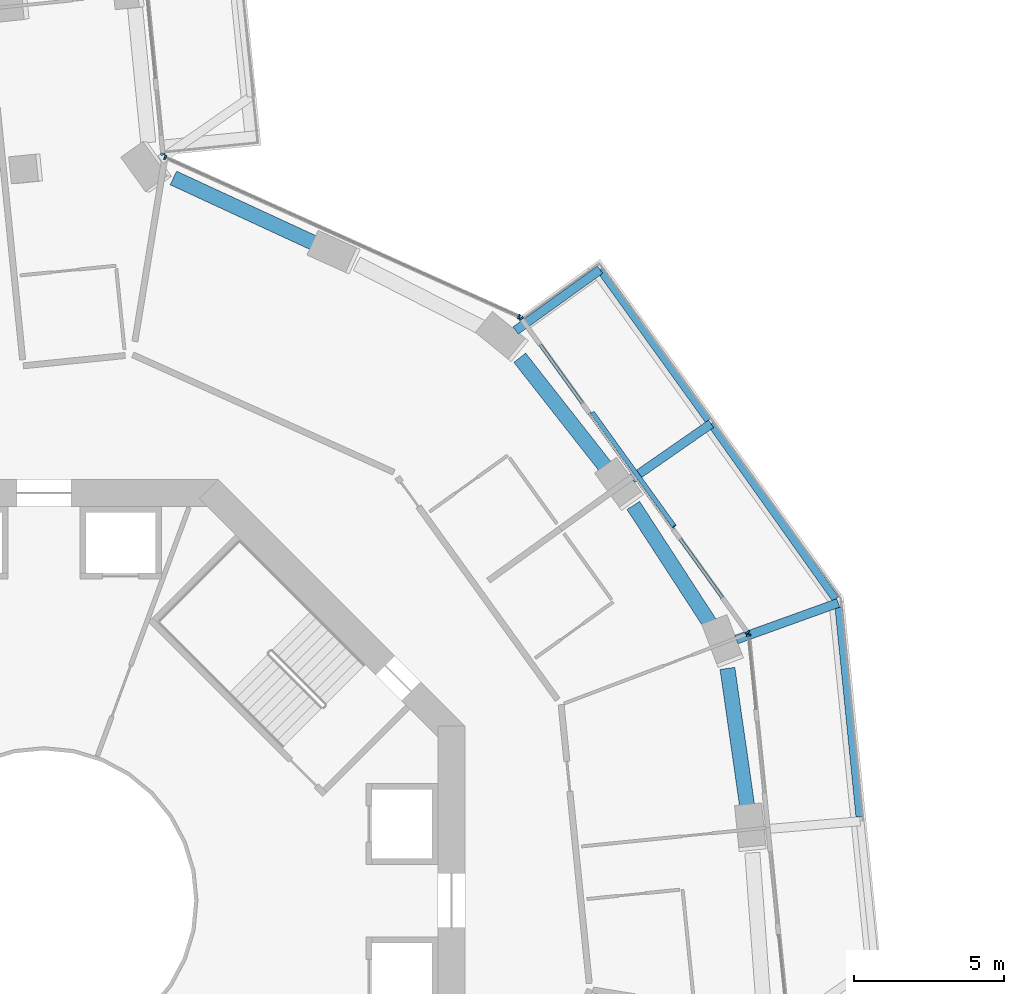
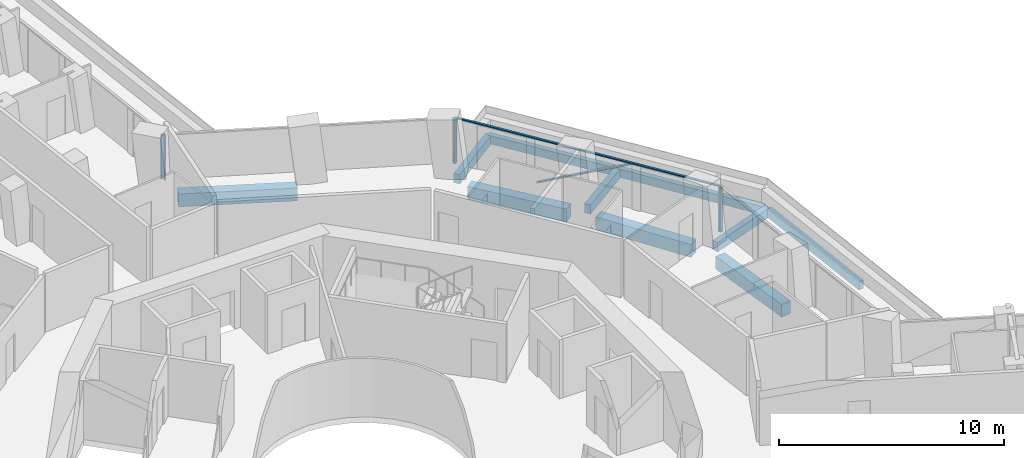
# One storey, part 9 of 26: 10 beams, 8 members, 4 elements without a shape of their own.
"""IFC4 building model written with IfcOpenShell, lengths in metres."""

from ifc_helpers import new_model, si_unit, direction, frame, origin, origin_2d, place, context, subcontext, project, spatial, rectangle, extrude, material, layer, layer_set, material_profile, profile_set, type_object, element, aggregate, save


model = new_model("IFC4")

# Units and contexts
model_context = context("Model", 3, precision=1e-05, world=origin(), true_north=direction((0.0, 1.0)))
body_context = subcontext(model_context, "Body", "Model", "MODEL_VIEW")
ifc_project = project(units=[si_unit("LENGTHUNIT", "METRE"), si_unit("AREAUNIT", "SQUARE_METRE"), si_unit("VOLUMEUNIT", "CUBIC_METRE"), si_unit("PLANEANGLEUNIT", "RADIAN"), si_unit("MASSUNIT", "GRAM", prefix="KILO")], contexts=[model_context])

# Site, building, storey
site_placement = place(None, origin())
site = spatial("IfcSite", under=ifc_project, at=site_placement, CompositionType="ELEMENT")
building_placement = place(site_placement, origin())
building = spatial("IfcBuilding", under=site, at=building_placement, Name="Verdalira Terraces Hotel", CompositionType="ELEMENT")
storey_placement = place(building_placement, frame((0.0, 0.0, 56.5)))
storey = spatial("IfcBuildingStorey", under=building, at=storey_placement, Name="L12", CompositionType="ELEMENT", Elevation=56.5)

# Beams
ifc_material_1 = material(Name="Concrete C40", Category="concrete")
ifc_material_profile_1 = material_profile(ifc_material_1, rectangle(XDim=0.300049, YDim=0.5, at=origin_2d()), Name="RC 300X500")
ifc_profile_set_1 = profile_set([ifc_material_profile_1], Name="Concrete C40")
beam_type_1 = type_object("IfcBeamType", Name="Balcony cantilever beam RC 300X500 C40", PredefinedType="BEAM", material=ifc_profile_set_1)
beam_1_placement = place(storey_placement, frame((23.019043, 8.679199, -0.560059), z_axis=(0.940860594, 0.338793953, 0.0), x_axis=(-0.338793953, 0.940860594, 0.0)))
element("IfcBeam", 1, at=beam_1_placement, inside=storey, type_object=beam_type_1, Name="Balcony cantilever beam R39-3", PredefinedType="BEAM", context=body_context, shape_type="SweptSolid", body=[
    extrude(rectangle(XDim=0.300049, YDim=0.5, at=origin_2d()), origin(), (0.0, 0.0, 1.0), 3.598145),
])
beam_2_placement = place(storey_placement, frame((19.547363, 14.024658, -0.560059), z_axis=(0.821108811, 0.570771689, 0.0), x_axis=(-0.570771689, 0.821108811, 0.0)))
element("IfcBeam", 2, at=beam_2_placement, inside=storey, type_object=beam_type_1, Name="Balcony cantilever beam R39-4", PredefinedType="BEAM", context=body_context, shape_type="SweptSolid", body=[
    extrude(rectangle(XDim=0.300049, YDim=0.5, at=origin_2d()), origin(), (0.0, 0.0, 1.0), 3.200684),
])
beam_3_placement = place(storey_placement, frame((15.681396, 18.953369, -0.560059), z_axis=(0.811484779, 0.584373557, 0.0), x_axis=(-0.584373557, 0.811484779, 0.0)))
element("IfcBeam", 3, at=beam_3_placement, inside=storey, type_object=beam_type_1, Name="Balcony cantilever beam R39-5", PredefinedType="BEAM", context=body_context, shape_type="SweptSolid", body=[
    extrude(rectangle(XDim=0.300049, YDim=0.5, at=origin_2d()), origin(), (0.0, 0.0, 1.0), 3.457031),
])
ifc_material_2 = material(Name="Concrete C40", Category="concrete")
ifc_material_profile_2 = material_profile(ifc_material_2, rectangle(XDim=0.25, YDim=0.449951, at=origin_2d()), Name="RC 250X450")
ifc_profile_set_2 = profile_set([ifc_material_profile_2], Name="Concrete C40")
beam_type_2 = type_object("IfcBeamType", Name="Balcony edge beam RC 250X450 C40", PredefinedType="BEAM", material=ifc_profile_set_2)
beam_4_placement = place(storey_placement, frame((27.115479, 2.789307, -0.534912), z_axis=(-0.099548678, 0.995032693, 0.0), x_axis=(-0.995032693, -0.099548678, 0.0)))
element("IfcBeam", 4, at=beam_4_placement, inside=storey, type_object=beam_type_2, Name="Balcony edge beam R39-2", PredefinedType="BEAM", context=body_context, shape_type="SweptSolid", body=[
    extrude(rectangle(XDim=0.25, YDim=0.449951, at=origin_2d()), origin(), (0.0, 0.0, 1.0), 6.989502),
])
beam_5_placement = place(storey_placement, frame((26.314209, 10.024902, -0.534912), z_axis=(-0.579084067, 0.815267835, 0.0), x_axis=(-0.815267835, -0.579084067, 0.0)))
element("IfcBeam", 5, at=beam_5_placement, inside=storey, type_object=beam_type_2, Name="Balcony edge beam R39-3", PredefinedType="BEAM", context=body_context, shape_type="SweptSolid", body=[
    extrude(rectangle(XDim=0.25, YDim=0.449951, at=origin_2d()), origin(), (0.0, 0.0, 1.0), 7.146973),
])
beam_6_placement = place(storey_placement, frame((22.087891, 15.973145, -0.534912), z_axis=(-0.584381958, 0.811478729, 0.0), x_axis=(-0.811478729, -0.584381958, 0.0)))
element("IfcBeam", 6, at=beam_6_placement, inside=storey, type_object=beam_type_2, Name="Balcony edge beam R39-4", PredefinedType="BEAM", context=body_context, shape_type="SweptSolid", body=[
    extrude(rectangle(XDim=0.25, YDim=0.449951, at=origin_2d()), origin(), (0.0, 0.0, 1.0), 6.162109),
])

# Curtain wall, member
ifc_material_3 = material(Name="Clear glass", Category="glass")
ifc_layer_1 = layer(ifc_material_3, 0.14990234375)
ifc_layer_set_1 = layer_set([ifc_layer_1], Name="CW1 curtain wall")
curtain_wall_type_1 = type_object("IfcCurtainWallType", Name="CW1 curtain wall", PredefinedType="NOTDEFINED", material=ifc_layer_set_1)
curtain_wall_1_placement = place(storey_placement, origin())
curtain_wall_1 = element("IfcCurtainWall", 7, at=curtain_wall_1_placement, inside=storey, type_object=curtain_wall_type_1, Name="CW1 curtain wall L12 edge 39", PredefinedType="NOTDEFINED")
ifc_material_4 = material(Name="Terracotta frame", Category="masonry")
ifc_material_profile_3 = material_profile(ifc_material_4, rectangle(XDim=0.060059, YDim=0.149902, at=origin_2d()), Name="MU 60x150")
ifc_profile_set_3 = profile_set([ifc_material_profile_3], Name="Terracotta frame")
member_type_1 = type_object("IfcMemberType", Name="CW1 mullion 60x150", PredefinedType="MULLION", material=ifc_profile_set_3)
member_1_placement = place(storey_placement, frame((23.416016, 8.824463, 0.0), z_axis=(0.0, 0.0, 1.0), x_axis=(-0.100361715, 0.994951017, 0.0)))
member_1 = element("IfcMember", 8, at=member_1_placement, type_object=member_type_1, Name="CW1 mullion", PredefinedType="MULLION", context=body_context, shape_type="SweptSolid", body=[
    extrude(rectangle(XDim=0.060059, YDim=0.149902, at=origin_2d()), origin(), (0.0, 0.0, 1.0), 2.425049),
])
aggregate(curtain_wall_1, [member_1])

# Curtain wall, members
curtain_wall_2_placement = place(storey_placement, origin())
curtain_wall_2 = element("IfcCurtainWall", 9, at=curtain_wall_2_placement, inside=storey, type_object=curtain_wall_type_1, Name="CW1 curtain wall L12 edge 40", PredefinedType="NOTDEFINED")
member_2_placement = place(storey_placement, frame((23.381592, 8.915039, 0.0), z_axis=(0.0, 0.0, 1.0), x_axis=(-0.584391303, 0.811471999, 0.0)))
member_2 = element("IfcMember", 10, at=member_2_placement, type_object=member_type_1, Name="CW1 mullion", PredefinedType="MULLION", context=body_context, shape_type="SweptSolid", body=[
    extrude(rectangle(XDim=0.060059, YDim=0.149902, at=origin_2d()), origin(), (0.0, 0.0, 1.0), 2.425049),
])
member_3_placement = place(storey_placement, frame((15.866455, 19.350098, 0.0), z_axis=(0.0, 0.0, 1.0), x_axis=(-0.584391303, 0.811471999, 0.0)))
member_3 = element("IfcMember", 11, at=member_3_placement, type_object=member_type_1, Name="CW1 mullion", PredefinedType="MULLION", context=body_context, shape_type="SweptSolid", body=[
    extrude(rectangle(XDim=0.060059, YDim=0.149902, at=origin_2d()), origin(), (0.0, 0.0, 1.0), 2.425049),
])

curtain_wall_3_placement = place(storey_placement, origin())
curtain_wall_3 = element("IfcCurtainWall", 12, at=curtain_wall_3_placement, inside=storey, type_object=curtain_wall_type_1, Name="CW1 curtain wall L12 edge 41", PredefinedType="NOTDEFINED")
member_4_placement = place(storey_placement, frame((15.791504, 19.411377, 0.0), z_axis=(0.0, 0.0, 1.0), x_axis=(-0.911833714, 0.410559714, 0.0)))
member_4 = element("IfcMember", 13, at=member_4_placement, type_object=member_type_1, Name="CW1 mullion", PredefinedType="MULLION", context=body_context, shape_type="SweptSolid", body=[
    extrude(rectangle(XDim=0.060059, YDim=0.149902, at=origin_2d()), origin(), (0.0, 0.0, 1.0), 2.425049),
])
member_5_placement = place(storey_placement, frame((4.029053, 24.70752, 0.0), z_axis=(0.0, 0.0, 1.0), x_axis=(-0.911833714, 0.410559714, 0.0)))
member_5 = element("IfcMember", 14, at=member_5_placement, type_object=member_type_1, Name="CW1 mullion", PredefinedType="MULLION", context=body_context, shape_type="SweptSolid", body=[
    extrude(rectangle(XDim=0.060059, YDim=0.149902, at=origin_2d()), origin(), (0.0, 0.0, 1.0), 2.425049),
])
aggregate(curtain_wall_3, [member_4, member_5])

# Member
ifc_material_5 = material(Name="Terracotta frame", Category="masonry")
ifc_material_profile_4 = material_profile(ifc_material_5, rectangle(XDim=0.110107, YDim=0.064941, at=origin_2d()), Name="TR 65x110")
ifc_profile_set_4 = profile_set([ifc_material_profile_4], Name="Terracotta frame")
member_type_2 = type_object("IfcMemberType", Name="CW1 transom 65x110", PredefinedType="USERDEFINED", material=ifc_profile_set_4)
member_6_placement = place(storey_placement, frame((23.39917, 8.890625, 2.45752), z_axis=(-0.584388853, 0.811473763, 0.0), x_axis=(-0.811473763, -0.584388853, 0.0)))
member_6 = element("IfcMember", 15, at=member_6_placement, type_object=member_type_2, Name="CW1 transom", ObjectType="TRANSOM", PredefinedType="USERDEFINED", context=body_context, shape_type="SweptSolid", body=[
    extrude(rectangle(XDim=0.110107, YDim=0.064941, at=origin_2d()), origin(), (0.0, 0.0, 1.0), 12.919678),
])

# Curtain wall, member
ifc_material_6 = material(Name="Clear glass", Category="glass")
ifc_layer_2 = layer(ifc_material_6, 0.14990234375)
ifc_layer_set_2 = layer_set([ifc_layer_2], Name="CW2 curtain wall")
curtain_wall_type_2 = type_object("IfcCurtainWallType", Name="CW2 curtain wall", PredefinedType="NOTDEFINED", material=ifc_layer_set_2)
curtain_wall_4_placement = place(storey_placement, origin())
curtain_wall_4 = element("IfcCurtainWall", 16, at=curtain_wall_4_placement, inside=storey, type_object=curtain_wall_type_2, Name="CW2 curtain wall L12 edge 0", PredefinedType="NOTDEFINED")
ifc_material_7 = material(Name="Terracotta frame", Category="masonry")
ifc_material_profile_5 = material_profile(ifc_material_7, rectangle(XDim=0.070068, YDim=0.149902, at=origin_2d()), Name="MU 70x150")
ifc_profile_set_5 = profile_set([ifc_material_profile_5], Name="Terracotta frame")
member_type_3 = type_object("IfcMemberType", Name="CW2 mullion 70x150", PredefinedType="MULLION", material=ifc_profile_set_5)
member_7_placement = place(storey_placement, frame((3.954346, 24.81543, 0.0), z_axis=(0.0, 0.0, 1.0), x_axis=(-0.100361715, 0.994951017, 0.0)))
member_7 = element("IfcMember", 17, at=member_7_placement, type_object=member_type_3, Name="CW2 mullion", PredefinedType="MULLION", context=body_context, shape_type="SweptSolid", body=[
    extrude(rectangle(XDim=0.070068, YDim=0.149902, at=origin_2d()), origin(), (0.0, 0.0, 1.0), 2.425049),
])
aggregate(curtain_wall_4, [member_7])

# Member
ifc_material_8 = material(Name="Terracotta frame", Category="masonry")
ifc_material_profile_6 = material_profile(ifc_material_8, rectangle(XDim=0.149902, YDim=0.060059, at=origin_2d()), Name="GB 60x150")
ifc_profile_set_6 = profile_set([ifc_material_profile_6], Name="Terracotta frame")
member_type_4 = type_object("IfcMemberType", Name="Diagonal glazing bar 60x150", PredefinedType="USERDEFINED", material=ifc_profile_set_6)
member_8_placement = place(storey_placement, frame((20.950928, 12.442383, 2.397461), z_axis=(-0.520711812, 0.723000376, -0.45401505), x_axis=(-0.811453684, -0.584416733, 0.0)))
member_8 = element("IfcMember", 18, at=member_8_placement, type_object=member_type_4, Name="Diagonal glazing bar", ObjectType="GLAZING BAR", PredefinedType="USERDEFINED", context=body_context, shape_type="SweptSolid", body=[
    extrude(rectangle(XDim=0.149902, YDim=0.060059, at=origin_2d()), origin(), (0.0, 0.0, 1.0), 5.219727),
])

aggregate(curtain_wall_2, [member_2, member_3, member_6, member_8])

# Beams
ifc_material_9 = material(Name="Concrete C70", Category="concrete")
ifc_material_profile_7 = material_profile(ifc_material_9, rectangle(XDim=0.5, YDim=0.699951, at=origin_2d()), Name="RC 500X700")
ifc_profile_set_7 = profile_set([ifc_material_profile_7], Name="Concrete C70")
beam_type_3 = type_object("IfcBeamType", Name="Spandrel beam RC 500X700 C70", PredefinedType="SPANDREL", material=ifc_profile_set_7)
beam_7_placement = place(storey_placement, frame((23.393311, 3.012695, -0.659912), z_axis=(-0.141694472, 0.989910439, 0.0), x_axis=(-0.989910439, -0.141694472, 0.0)))
element("IfcBeam", 19, at=beam_7_placement, inside=storey, type_object=beam_type_3, Name="Spandrel beam B31", PredefinedType="SPANDREL", context=body_context, shape_type="SweptSolid", body=[
    extrude(rectangle(XDim=0.5, YDim=0.699951, at=origin_2d()), origin(), (0.0, 0.0, 1.0), 4.755615),
])
beam_8_placement = place(storey_placement, frame((22.182373, 9.146484, -0.659912), z_axis=(-0.544847699, 0.838535023, 0.0), x_axis=(-0.838535023, -0.544847699, 0.0)))
element("IfcBeam", 20, at=beam_8_placement, inside=storey, type_object=beam_type_3, Name="Spandrel beam B32", PredefinedType="SPANDREL", context=body_context, shape_type="SweptSolid", body=[
    extrude(rectangle(XDim=0.5, YDim=0.699951, at=origin_2d()), origin(), (0.0, 0.0, 1.0), 4.759277),
])
beam_9_placement = place(storey_placement, frame((18.752686, 14.305908, -0.659912), z_axis=(-0.617619735, 0.786476868, 0.0), x_axis=(-0.786476868, -0.617619735, 0.0)))
element("IfcBeam", 21, at=beam_9_placement, inside=storey, type_object=beam_type_3, Name="Spandrel beam B33", PredefinedType="SPANDREL", context=body_context, shape_type="SweptSolid", body=[
    extrude(rectangle(XDim=0.5, YDim=0.699951, at=origin_2d()), origin(), (0.0, 0.0, 1.0), 4.755371),
])
beam_10_placement = place(storey_placement, frame((9.122559, 21.791016, -0.659912), z_axis=(-0.907496108, 0.420060489, 0.0), x_axis=(-0.420060489, -0.907496108, 0.0)))
element("IfcBeam", 22, at=beam_10_placement, inside=storey, type_object=beam_type_3, Name="Spandrel beam B35", PredefinedType="SPANDREL", context=body_context, shape_type="SweptSolid", body=[
    extrude(rectangle(XDim=0.5, YDim=0.699951, at=origin_2d()), origin(), (0.0, 0.0, 1.0), 5.312256),
])

save(model, "model.ifc")
